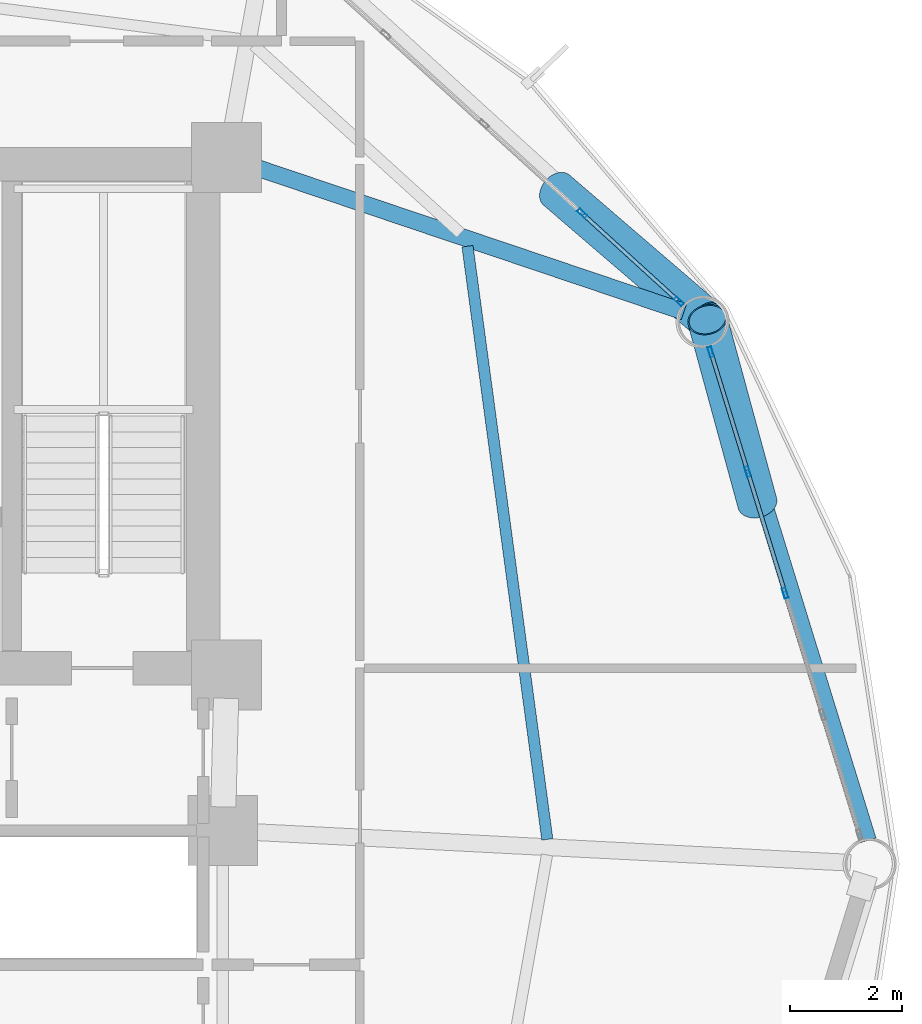
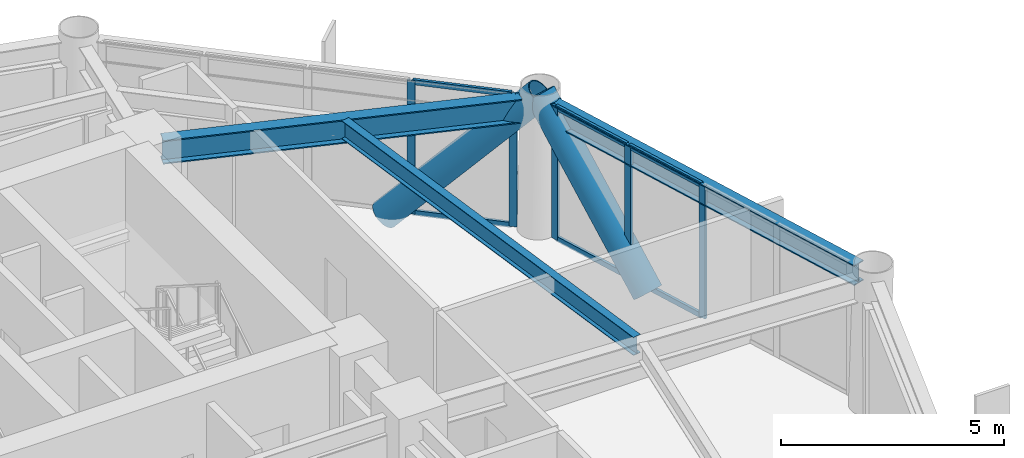
# One storey, part 14 of 25: 13 members, 3 beams, 2 elements without a shape of their own.
"""IFC4 building model written with IfcOpenShell, lengths in metres."""

from ifc_helpers import new_model, si_unit, direction, frame, origin, origin_2d, place, context, subcontext, project, spatial, hollow_rectangle, hollow_circle, i_section, extrude, material, layer, layer_set, material_profile, profile_set, type_object, element, aggregate, save


model = new_model("IFC4")

# Units and contexts
model_context = context("Model", 3, precision=1e-05, world=origin(), true_north=direction((0.0, 1.0)))
body_context = subcontext(model_context, "Body", "Model", "MODEL_VIEW")
ifc_project = project(units=[si_unit("LENGTHUNIT", "METRE"), si_unit("AREAUNIT", "SQUARE_METRE"), si_unit("VOLUMEUNIT", "CUBIC_METRE"), si_unit("PLANEANGLEUNIT", "RADIAN"), si_unit("MASSUNIT", "GRAM", prefix="KILO")], contexts=[model_context])

# Site, building, storey
site_placement = place(None, origin())
site = spatial("IfcSite", under=ifc_project, at=site_placement, CompositionType="ELEMENT")
building_placement = place(site_placement, origin())
building = spatial("IfcBuilding", under=site, at=building_placement, Name="Varnakorn Sky Granary", CompositionType="ELEMENT")
storey_placement = place(building_placement, frame((0.0, 0.0, 58.800048828125)))
storey = spatial("IfcBuildingStorey", under=building, at=storey_placement, Name="L14", CompositionType="ELEMENT", Elevation=58.800048828125)

# Beams
ifc_material_1 = material(Name="Steel S355JR", Category="steel")
ifc_material_profile_1 = material_profile(ifc_material_1, i_section(OverallWidth=0.300048828125, OverallDepth=0.64990234375, WebThickness=0.01611328125, FlangeThickness=0.031005859375, at=origin_2d()), Name="HE 650 B")
ifc_profile_set_1 = profile_set([ifc_material_profile_1], Name="Steel S355JR")
beam_type_1 = type_object("IfcBeamType", Name="BM-RAD-Z1", PredefinedType="BEAM", material=ifc_profile_set_1)
beam_1_placement = place(storey_placement, frame((8.818115234375, 12.48583984375, 3.31494140625), z_axis=(0.947570047245, -0.319548127148, 0.0), x_axis=(0.319548127148, 0.947570047245, 0.0)))
element("IfcBeam", 1, at=beam_1_placement, inside=storey, type_object=beam_type_1, Name="Radial Floor Girder RG02 L14", PredefinedType="BEAM", context=body_context, shape_type="SweptSolid", body=[
    extrude(i_section(OverallWidth=0.300048828125, OverallDepth=0.64990234375, WebThickness=0.01611328125, FlangeThickness=0.031005859375, at=origin_2d()), origin(), (0.0, 0.0, 1.0), 8.200927734375),
])
ifc_material_profile_2 = material_profile(ifc_material_1, i_section(OverallWidth=0.199951171875, OverallDepth=0.5, WebThickness=0.01025390625, FlangeThickness=0.01611328125, at=origin_2d()), Name="IPE 500")
ifc_profile_set_2 = profile_set([ifc_material_profile_2], Name="Steel S355JR")
beam_type_2 = type_object("IfcBeamType", Name="BM-SEC-Z1", PredefinedType="BEAM", material=ifc_profile_set_2)
beam_2_placement = place(storey_placement, frame((14.148193359375, 0.439208984375, 3.389892578125), z_axis=(-0.133358536745, 0.991067858765, 0.0), x_axis=(-0.991067858765, -0.133358536745, 0.0)))
element("IfcBeam", 2, at=beam_2_placement, inside=storey, type_object=beam_type_2, Name="Secondary Floor Chord Beam MSB01 L14", PredefinedType="BEAM", context=body_context, shape_type="SweptSolid", body=[
    extrude(i_section(OverallWidth=0.199951171875, OverallDepth=0.5, WebThickness=0.01025390625, FlangeThickness=0.01611328125, at=origin_2d()), origin(), (0.0, 0.0, 1.0), 10.693115234375),
])
ifc_material_profile_3 = material_profile(ifc_material_1, i_section(OverallWidth=0.300048828125, OverallDepth=0.550048828125, WebThickness=0.014892578125, FlangeThickness=0.029052734375, at=origin_2d()), Name="HE 550 B")
ifc_profile_set_3 = profile_set([ifc_material_profile_3], Name="Steel S355JR")
beam_type_3 = type_object("IfcBeamType", Name="BM-SPD-Z1", PredefinedType="SPANDREL", material=ifc_profile_set_3)
beam_3_placement = place(storey_placement, frame((19.875732421875, 0.42236328125, 3.364990234375), z_axis=(-0.2946507866, 0.955604998917, 0.0), x_axis=(-0.955604998917, -0.2946507866, 0.0)))
element("IfcBeam", 3, at=beam_3_placement, inside=storey, type_object=beam_type_3, Name="Perimeter Spandrel Ring Beam RB01 L14", PredefinedType="SPANDREL", context=body_context, shape_type="SweptSolid", body=[
    extrude(i_section(OverallWidth=0.300048828125, OverallDepth=0.550048828125, WebThickness=0.014892578125, FlangeThickness=0.029052734375, at=origin_2d()), origin(), (0.0, 0.0, 1.0), 9.291748046875),
])

# Curtain wall, members
ifc_material_2 = material(Name="Anodised Bronze Aluminium Alloy 6063-T6", Category="aluminium")
ifc_layer = layer(ifc_material_2, 0.18994140625, Name="Anodised Bronze Aluminium Alloy 6063-T6")
ifc_layer_set = layer_set([ifc_layer], Name="Anodised Bronze Aluminium Alloy 6063-T6")
curtain_wall_type = type_object("IfcCurtainWallType", Name="CW-FRM-1", PredefinedType="USERDEFINED", material=ifc_layer_set)
curtain_wall_1_placement = place(storey_placement, origin())
curtain_wall_1 = element("IfcCurtainWall", 4, at=curtain_wall_1_placement, inside=storey, type_object=curtain_wall_type, Name="Unitised Curtain Wall CW3 CW-L14-B01", ObjectType="CURTAIN WALL", PredefinedType="USERDEFINED")
ifc_material_profile_4 = material_profile(ifc_material_2, hollow_rectangle(XDim=0.070068359375, YDim=0.18505859375, WallThickness=0.00390625, at=origin_2d()), Name="ALU MULL 70x185")
ifc_profile_set_4 = profile_set([ifc_material_profile_4], Name="Anodised Bronze Aluminium Alloy 6063-T6")
member_type_1 = type_object("IfcMemberType", Name="CW-FRM-1-MULL", PredefinedType="MULLION", material=ifc_profile_set_4)
member_1_placement = place(storey_placement, frame((17.068115234375, 9.14990234375, 0.0), z_axis=(0.0, 0.0, 1.0), x_axis=(0.955650032155, 0.29450469613, 0.0)))
member_1 = element("IfcMember", 5, at=member_1_placement, type_object=member_type_1, Name="CW3 mullion 1", PredefinedType="MULLION", context=body_context, shape_type="SweptSolid", body=[
    extrude(hollow_rectangle(XDim=0.070068359375, YDim=0.18505859375, WallThickness=0.00390625, at=origin_2d()), origin(), (0.0, 0.0, 1.0), 3.639892578125),
])
member_2_placement = place(storey_placement, frame((17.727294921875, 7.010986328125, 0.0), z_axis=(0.0, 0.0, 1.0), x_axis=(0.955650032155, 0.29450469613, 0.0)))
member_2 = element("IfcMember", 6, at=member_2_placement, type_object=member_type_1, Name="CW3 mullion 2", PredefinedType="MULLION", context=body_context, shape_type="SweptSolid", body=[
    extrude(hollow_rectangle(XDim=0.070068359375, YDim=0.18505859375, WallThickness=0.00390625, at=origin_2d()), origin(), (0.0, 0.0, 1.0), 3.639892578125),
])
member_3_placement = place(storey_placement, frame((18.396728515625, 4.8388671875, 0.0), z_axis=(0.0, 0.0, 1.0), x_axis=(0.955650032155, 0.29450469613, 0.0)))
member_3 = element("IfcMember", 7, at=member_3_placement, type_object=member_type_1, Name="CW3 mullion 3", PredefinedType="MULLION", context=body_context, shape_type="SweptSolid", body=[
    extrude(hollow_rectangle(XDim=0.070068359375, YDim=0.18505859375, WallThickness=0.00390625, at=origin_2d()), origin(), (0.0, 0.0, 1.0), 3.639892578125),
])

curtain_wall_2_placement = place(storey_placement, origin())
curtain_wall_2 = element("IfcCurtainWall", 8, at=curtain_wall_2_placement, inside=storey, type_object=curtain_wall_type, Name="Unitised Curtain Wall CW3 CW-L14-B02", ObjectType="CURTAIN WALL", PredefinedType="USERDEFINED")
member_4_placement = place(storey_placement, frame((14.769775390625, 11.62255859375, 0.0), z_axis=(0.0, 0.0, 1.0), x_axis=(0.67331886602, 0.739352219623, 0.0)))
member_4 = element("IfcMember", 9, at=member_4_placement, type_object=member_type_1, Name="CW3 mullion 4", PredefinedType="MULLION", context=body_context, shape_type="SweptSolid", body=[
    extrude(hollow_rectangle(XDim=0.070068359375, YDim=0.18505859375, WallThickness=0.00390625, at=origin_2d()), origin(), (0.0, 0.0, 1.0), 3.639892578125),
])
member_5_placement = place(storey_placement, frame((16.49755859375, 10.049072265625, 0.0), z_axis=(0.0, 0.0, 1.0), x_axis=(0.67331886602, 0.739352219623, 0.0)))
member_5 = element("IfcMember", 10, at=member_5_placement, type_object=member_type_1, Name="CW3 mullion 5", PredefinedType="MULLION", context=body_context, shape_type="SweptSolid", body=[
    extrude(hollow_rectangle(XDim=0.070068359375, YDim=0.18505859375, WallThickness=0.00390625, at=origin_2d()), origin(), (0.0, 0.0, 1.0), 3.639892578125),
])

# Member
ifc_material_profile_5 = material_profile(ifc_material_2, hollow_rectangle(XDim=0.070068359375, YDim=0.139892578125, WallThickness=0.00341796875, at=origin_2d()), Name="ALU TRAN 70x140")
ifc_profile_set_5 = profile_set([ifc_material_profile_5], Name="Anodised Bronze Aluminium Alloy 6063-T6")
member_type_2 = type_object("IfcMemberType", Name="CW-FRM-1-TRAN", PredefinedType="USERDEFINED", material=ifc_profile_set_5)
member_6_placement = place(storey_placement, frame((17.07861328125, 9.116455078125, 0.034912109375), z_axis=(0.294457721915, -0.955664507034, 0.0), x_axis=(0.955664507034, 0.294457721915, 0.0)))
member_6 = element("IfcMember", 11, at=member_6_placement, type_object=member_type_2, Name="CW3 transom 1.1", ObjectType="TRANSOM", PredefinedType="USERDEFINED", context=body_context, shape_type="SweptSolid", body=[
    extrude(hollow_rectangle(XDim=0.070068359375, YDim=0.139892578125, WallThickness=0.00341796875, at=origin_2d()), origin(), (0.0, 0.0, 1.0), 2.168212890625),
])

member_7_placement = place(storey_placement, frame((17.07861328125, 9.116455078125, 3.60498046875), z_axis=(0.294457721915, -0.955664507034, 0.0), x_axis=(0.955664507034, 0.294457721915, 0.0)))
member_7 = element("IfcMember", 12, at=member_7_placement, type_object=member_type_2, Name="CW3 transom 1.2", ObjectType="TRANSOM", PredefinedType="USERDEFINED", context=body_context, shape_type="SweptSolid", body=[
    extrude(hollow_rectangle(XDim=0.070068359375, YDim=0.139892578125, WallThickness=0.00341796875, at=origin_2d()), origin(), (0.0, 0.0, 1.0), 2.168212890625),
])

member_8_placement = place(storey_placement, frame((17.737548828125, 6.9775390625, 0.034912109375), z_axis=(0.294568641983, -0.955630323483, 0.0), x_axis=(0.955630323483, 0.294568641983, 0.0)))
member_8 = element("IfcMember", 13, at=member_8_placement, type_object=member_type_2, Name="CW3 transom 2.1", ObjectType="TRANSOM", PredefinedType="USERDEFINED", context=body_context, shape_type="SweptSolid", body=[
    extrude(hollow_rectangle(XDim=0.070068359375, YDim=0.139892578125, WallThickness=0.00341796875, at=origin_2d()), origin(), (0.0, 0.0, 1.0), 2.202880859375),
])

member_9_placement = place(storey_placement, frame((17.737548828125, 6.9775390625, 3.60498046875), z_axis=(0.294568641983, -0.955630323483, 0.0), x_axis=(0.955630323483, 0.294568641983, 0.0)))
member_9 = element("IfcMember", 14, at=member_9_placement, type_object=member_type_2, Name="CW3 transom 2.2", ObjectType="TRANSOM", PredefinedType="USERDEFINED", context=body_context, shape_type="SweptSolid", body=[
    extrude(hollow_rectangle(XDim=0.070068359375, YDim=0.139892578125, WallThickness=0.00341796875, at=origin_2d()), origin(), (0.0, 0.0, 1.0), 2.202880859375),
])

aggregate(curtain_wall_1, [member_1, member_2, member_3, member_6, member_7, member_8, member_9])

member_10_placement = place(storey_placement, frame((14.795654296875, 11.59912109375, 0.034912109375), z_axis=(0.739345253663, -0.673326515062, 0.0), x_axis=(0.673326515062, 0.739345253663, 0.0)))
member_10 = element("IfcMember", 15, at=member_10_placement, type_object=member_type_2, Name="CW3 transom 4.1", ObjectType="TRANSOM", PredefinedType="USERDEFINED", context=body_context, shape_type="SweptSolid", body=[
    extrude(hollow_rectangle(XDim=0.070068359375, YDim=0.139892578125, WallThickness=0.00341796875, at=origin_2d()), origin(), (0.0, 0.0, 1.0), 2.266845703125),
])

member_11_placement = place(storey_placement, frame((14.795654296875, 11.59912109375, 3.60498046875), z_axis=(0.739345253663, -0.673326515062, 0.0), x_axis=(0.673326515062, 0.739345253663, 0.0)))
member_11 = element("IfcMember", 16, at=member_11_placement, type_object=member_type_2, Name="CW3 transom 4.2", ObjectType="TRANSOM", PredefinedType="USERDEFINED", context=body_context, shape_type="SweptSolid", body=[
    extrude(hollow_rectangle(XDim=0.070068359375, YDim=0.139892578125, WallThickness=0.00341796875, at=origin_2d()), origin(), (0.0, 0.0, 1.0), 2.266845703125),
])

aggregate(curtain_wall_2, [member_4, member_5, member_10, member_11])

# Members
ifc_material_3 = material(Name="Steel S460M", Category="steel")
ifc_material_profile_6 = material_profile(ifc_material_3, hollow_circle(Radius=0.35546875, WallThickness=0.02490234375, at=origin_2d()), Name="CHS 711x25")
ifc_profile_set_6 = profile_set([ifc_material_profile_6], Name="Steel S460M")
member_type_3 = type_object("IfcMemberType", Name="MB-DIAG-T0", PredefinedType="BRACE", material=ifc_profile_set_6)
member_12_placement = place(storey_placement, frame((17.899658203125, 6.45166015625, -0.130126953125), z_axis=(-0.175863570081, 0.645298465198, 0.743412332109), x_axis=(-0.964811975904, -0.262940774991, 0.0)))
element("IfcMember", 17, at=member_12_placement, inside=storey, type_object=member_type_3, Name="Perimeter CHS Diagrid Brace DG01 L14", PredefinedType="BRACE", context=body_context, shape_type="SweptSolid", body=[
    extrude(hollow_circle(Radius=0.35546875, WallThickness=0.02490234375, at=origin_2d()), origin(), (0.0, 0.0, 1.0), 5.0712890625),
])
member_13_placement = place(storey_placement, frame((14.3125, 12.0390625, -0.130126953125), z_axis=(0.520288809603, -0.4468639939, 0.72774454691), x_axis=(0.6515493318, 0.758606266934, 0.0)))
element("IfcMember", 18, at=member_13_placement, inside=storey, type_object=member_type_3, Name="Perimeter CHS Diagrid Brace DG02 L14", PredefinedType="BRACE", context=body_context, shape_type="SweptSolid", body=[
    extrude(hollow_circle(Radius=0.35546875, WallThickness=0.02490234375, at=origin_2d()), origin(), (0.0, 0.0, 1.0), 5.180419921875),
])

save(model, "model.ifc")
